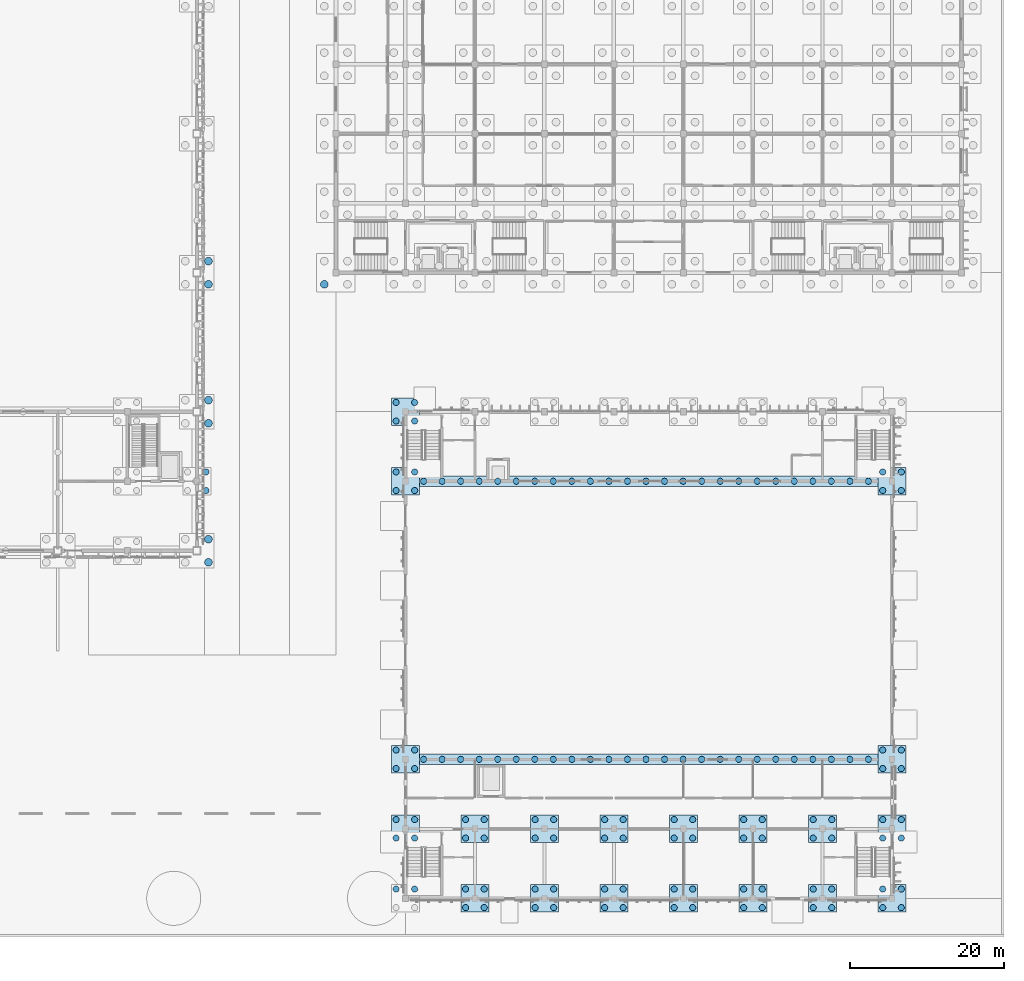
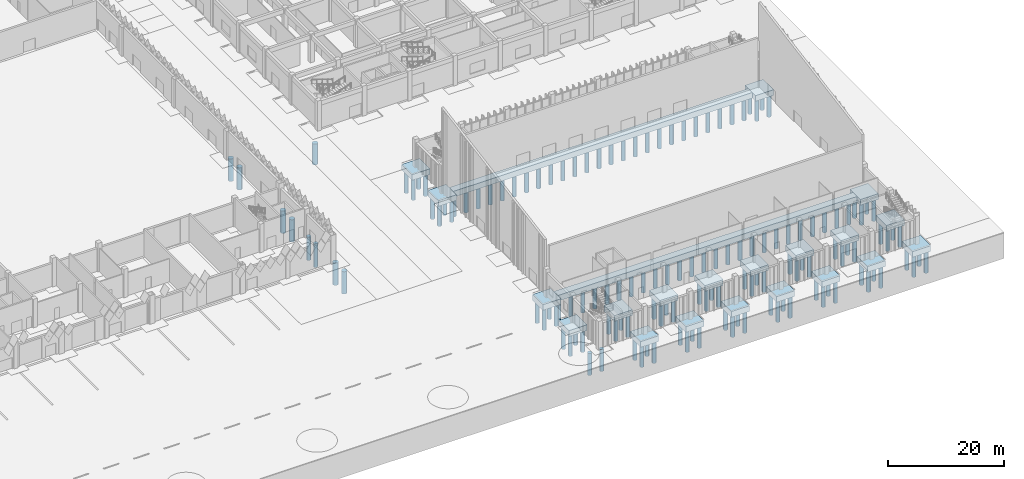
# One storey, part 13 of 198: 141 piles, 22 footings.
"""IFC4 building model written with IfcOpenShell, lengths in metres."""

from ifc_helpers import new_model, si_unit, direction, frame, origin, origin_2d, place, context, subcontext, project, spatial, polyline, circle, outline, extrude, material, layer, layer_set, material_profile, profile_set, type_object, element, save


model = new_model("IFC4")

# Units and contexts
model_context = context("Model", 3, precision=1e-05, world=origin(), true_north=direction((0.0, 1.0)))
body_context = subcontext(model_context, "Body", "Model", "MODEL_VIEW")
ifc_project = project(units=[si_unit("LENGTHUNIT", "METRE"), si_unit("AREAUNIT", "SQUARE_METRE"), si_unit("VOLUMEUNIT", "CUBIC_METRE"), si_unit("PLANEANGLEUNIT", "RADIAN"), si_unit("MASSUNIT", "GRAM", prefix="KILO")], contexts=[model_context])

# Site, building, storey
site_placement = place(None, origin())
site = spatial("IfcSite", under=ifc_project, at=site_placement, CompositionType="ELEMENT")
building_placement = place(site_placement, origin())
building = spatial("IfcBuilding", under=site, at=building_placement, Name="Opaline Strait Convention Centre", CompositionType="ELEMENT")
storey_placement = place(building_placement, origin())
storey = spatial("IfcBuildingStorey", under=building, at=storey_placement, Name="L00", CompositionType="ELEMENT", Elevation=0.0)

# Piles
ifc_material = material(Name="Concrete C35", Category="concrete")
ifc_material_profile_1 = material_profile(ifc_material, circle(Radius=0.5, at=origin_2d()), Name="D1000")
ifc_profile_set_1 = profile_set([ifc_material_profile_1], Name="Concrete C35")
pile_type_1 = type_object("IfcPileType", Name="Bored pile D1000 C35", PredefinedType="BORED", material=ifc_profile_set_1)
for number, where, z_axis, x_axis, name in (
    (1, (262.5, 52.5, -1.300048828125), (0.0, 0.0, -1.0), (1.0, 0.0, 0.0), "Bored pile of cap 261/54"),
    (2, (262.5, 55.5, -1.300048828125), (0.0, 0.0, -1.0), (1.0, 0.0, 0.0), "Bored pile of cap 261/54"),
    (3, (262.5, 70.5, -1.300048828125), (0.0, 0.0, -1.0), (1.0, 0.0, 0.0), "Bored pile of cap 261/72"),
    (4, (262.5, 73.5, -1.300048828125), (0.0, 0.0, -1.0), (1.0, 0.0, 0.0), "Bored pile of cap 261/72"),
    (5, (262.5, 88.5, -1.300048828125), (0.0, 0.0, -1.0), (1.0, 0.0, 0.0), "Bored pile of cap 261/90"),
    (6, (262.5, 91.5, -1.300048828125), (0.0, 0.0, -1.0), (1.0, 0.0, 0.0), "Bored pile of cap 261/90"),
):
    element("IfcPile", number, at=place(storey_placement, frame(where, z_axis=z_axis, x_axis=x_axis)), inside=storey, type_object=pile_type_1, Name=name, PredefinedType="BORED", context=body_context, shape_type="SweptSolid", body=[
        extrude(circle(Radius=0.5, at=origin_2d()), origin(), (0.0, 0.0, 1.0), 4.699951171875),
    ])
ifc_material_profile_2 = material_profile(ifc_material, circle(Radius=0.5, at=origin_2d()), Name="D1000")
ifc_profile_set_2 = profile_set([ifc_material_profile_2], Name="Concrete C35")
pile_type_2 = type_object("IfcPileType", Name="Bored pile D1000 L4.4 C35", PredefinedType="BORED", material=ifc_profile_set_2)
pile_placement = place(storey_placement, frame((277.5, 88.5, -1.60009765625), z_axis=(0.0, 0.0, -1.0), x_axis=(1.0, 0.0, 0.0)))
element("IfcPile", 7, at=pile_placement, inside=storey, type_object=pile_type_2, Name="MPL1 pile 1 of cap at 32/L", PredefinedType="BORED", context=body_context, shape_type="SweptSolid", body=[
    extrude(circle(Radius=0.5, at=origin_2d()), origin(), (0.0, 0.0, 1.0), 4.39990234375),
])
ifc_material_profile_3 = material_profile(ifc_material, circle(Radius=0.39990234375, at=origin_2d()), Name="D800")
ifc_profile_set_3 = profile_set([ifc_material_profile_3], Name="Concrete C35")
pile_type_3 = type_object("IfcPileType", Name="Bored pile D800 C35", PredefinedType="BORED", material=ifc_profile_set_3)
for number, where, z_axis, x_axis, name in (
    (8, (262.199951171875, 61.800048828125, -1.10009765625), (0.0, 0.0, -1.0), (1.0, 0.0, 0.0), "Bored pile of cap 261/63"),
    (9, (262.199951171875, 64.199951171875, -1.10009765625), (0.0, 0.0, -1.0), (1.0, 0.0, 0.0), "Bored pile of cap 261/63"),
):
    element("IfcPile", number, at=place(storey_placement, frame(where, z_axis=z_axis, x_axis=x_axis)), inside=storey, type_object=pile_type_3, Name=name, PredefinedType="BORED", context=body_context, shape_type="SweptSolid", body=[
        extrude(circle(Radius=0.39990234375, at=origin_2d()), origin(), (0.0, 0.0, 1.0), 4.89990234375),
    ])
ifc_material_profile_4 = material_profile(ifc_material, circle(Radius=0.39990234375, at=origin_2d()), Name="D800")
ifc_profile_set_4 = profile_set([ifc_material_profile_4], Name="Concrete C35")
pile_type_4 = type_object("IfcPileType", Name="Bored pile D800 L4.6 C35", PredefinedType="BORED", material=ifc_profile_set_4)
for number, where, z_axis, x_axis, name in (
    (10, (286.800048828125, 10.199951171875, -1.39990234375), (0.0, 0.0, -1.0), (1.0, 0.0, 0.0), "BP1 pile 3 at 33/B"),
    (11, (289.199951171875, 10.199951171875, -1.39990234375), (0.0, 0.0, -1.0), (1.0, 0.0, 0.0), "BP1 pile 4 at 33/B"),
    (12, (295.800048828125, 7.800048828125, -1.39990234375), (0.0, 0.0, -1.0), (1.0, 0.0, 0.0), "BP1 pile 1 at 34/B"),
    (13, (298.199951171875, 7.800048828125, -1.39990234375), (0.0, 0.0, -1.0), (1.0, 0.0, 0.0), "BP1 pile 2 at 34/B"),
    (14, (295.800048828125, 10.199951171875, -1.39990234375), (0.0, 0.0, -1.0), (1.0, 0.0, 0.0), "BP1 pile 3 at 34/B"),
    (15, (298.199951171875, 10.199951171875, -1.39990234375), (0.0, 0.0, -1.0), (1.0, 0.0, 0.0), "BP1 pile 4 at 34/B"),
    (16, (304.800048828125, 7.800048828125, -1.39990234375), (0.0, 0.0, -1.0), (1.0, 0.0, 0.0), "BP1 pile 1 at 35/B"),
    (17, (307.199951171875, 7.800048828125, -1.39990234375), (0.0, 0.0, -1.0), (1.0, 0.0, 0.0), "BP1 pile 2 at 35/B"),
    (18, (304.800048828125, 10.199951171875, -1.39990234375), (0.0, 0.0, -1.0), (1.0, 0.0, 0.0), "BP1 pile 3 at 35/B"),
    (19, (307.199951171875, 10.199951171875, -1.39990234375), (0.0, 0.0, -1.0), (1.0, 0.0, 0.0), "BP1 pile 4 at 35/B"),
    (20, (313.800048828125, 7.800048828125, -1.39990234375), (0.0, 0.0, -1.0), (1.0, 0.0, 0.0), "BP1 pile 1 at 36/B"),
    (21, (316.199951171875, 7.800048828125, -1.39990234375), (0.0, 0.0, -1.0), (1.0, 0.0, 0.0), "BP1 pile 2 at 36/B"),
    (22, (313.800048828125, 10.199951171875, -1.39990234375), (0.0, 0.0, -1.0), (1.0, 0.0, 0.0), "BP1 pile 3 at 36/B"),
    (23, (316.199951171875, 10.199951171875, -1.39990234375), (0.0, 0.0, -1.0), (1.0, 0.0, 0.0), "BP1 pile 4 at 36/B"),
    (24, (322.800048828125, 7.800048828125, -1.39990234375), (0.0, 0.0, -1.0), (1.0, 0.0, 0.0), "BP1 pile 1 at 37/B"),
    (25, (325.199951171875, 7.800048828125, -1.39990234375), (0.0, 0.0, -1.0), (1.0, 0.0, 0.0), "BP1 pile 2 at 37/B"),
    (26, (322.800048828125, 10.199951171875, -1.39990234375), (0.0, 0.0, -1.0), (1.0, 0.0, 0.0), "BP1 pile 3 at 37/B"),
    (27, (325.199951171875, 10.199951171875, -1.39990234375), (0.0, 0.0, -1.0), (1.0, 0.0, 0.0), "BP1 pile 4 at 37/B"),
    (28, (331.800048828125, 7.800048828125, -1.39990234375), (0.0, 0.0, -1.0), (1.0, 0.0, 0.0), "BP1 pile 1 at 38/B"),
    (29, (334.199951171875, 7.800048828125, -1.39990234375), (0.0, 0.0, -1.0), (1.0, 0.0, 0.0), "BP1 pile 2 at 38/B"),
    (30, (331.800048828125, 10.199951171875, -1.39990234375), (0.0, 0.0, -1.0), (1.0, 0.0, 0.0), "BP1 pile 3 at 38/B"),
    (31, (334.199951171875, 10.199951171875, -1.39990234375), (0.0, 0.0, -1.0), (1.0, 0.0, 0.0), "BP1 pile 4 at 38/B"),
    (32, (340.800048828125, 7.800048828125, -1.39990234375), (0.0, 0.0, -1.0), (1.0, 0.0, 0.0), "BP1 pile 1 at 39/B"),
    (33, (343.199951171875, 7.800048828125, -1.39990234375), (0.0, 0.0, -1.0), (1.0, 0.0, 0.0), "BP1 pile 2 at 39/B"),
    (34, (340.800048828125, 10.199951171875, -1.39990234375), (0.0, 0.0, -1.0), (1.0, 0.0, 0.0), "BP1 pile 3 at 39/B"),
    (35, (343.199951171875, 10.199951171875, -1.39990234375), (0.0, 0.0, -1.0), (1.0, 0.0, 0.0), "BP1 pile 4 at 39/B"),
    (36, (349.800048828125, 7.800048828125, -1.39990234375), (0.0, 0.0, -1.0), (1.0, 0.0, 0.0), "BP1 pile 1 at 40/B"),
    (37, (352.199951171875, 7.800048828125, -1.39990234375), (0.0, 0.0, -1.0), (1.0, 0.0, 0.0), "BP1 pile 2 at 40/B"),
    (38, (349.800048828125, 10.199951171875, -1.39990234375), (0.0, 0.0, -1.0), (1.0, 0.0, 0.0), "BP1 pile 3 at 40/B"),
    (39, (352.199951171875, 10.199951171875, -1.39990234375), (0.0, 0.0, -1.0), (1.0, 0.0, 0.0), "BP1 pile 4 at 40/B"),
    (40, (286.800048828125, 16.800048828125, -1.39990234375), (0.0, 0.0, -1.0), (1.0, 0.0, 0.0), "BP1 pile 1 at 33/C"),
    (41, (289.199951171875, 16.800048828125, -1.39990234375), (0.0, 0.0, -1.0), (1.0, 0.0, 0.0), "BP1 pile 2 at 33/C"),
    (42, (286.800048828125, 19.199951171875, -1.39990234375), (0.0, 0.0, -1.0), (1.0, 0.0, 0.0), "BP1 pile 3 at 33/C"),
    (43, (289.199951171875, 19.199951171875, -1.39990234375), (0.0, 0.0, -1.0), (1.0, 0.0, 0.0), "BP1 pile 4 at 33/C"),
    (44, (295.800048828125, 16.800048828125, -1.39990234375), (0.0, 0.0, -1.0), (1.0, 0.0, 0.0), "BP1 pile 1 at 34/C"),
    (45, (298.199951171875, 16.800048828125, -1.39990234375), (0.0, 0.0, -1.0), (1.0, 0.0, 0.0), "BP1 pile 2 at 34/C"),
    (46, (295.800048828125, 19.199951171875, -1.39990234375), (0.0, 0.0, -1.0), (1.0, 0.0, 0.0), "BP1 pile 3 at 34/C"),
    (47, (298.199951171875, 19.199951171875, -1.39990234375), (0.0, 0.0, -1.0), (1.0, 0.0, 0.0), "BP1 pile 4 at 34/C"),
    (48, (304.800048828125, 16.800048828125, -1.39990234375), (0.0, 0.0, -1.0), (1.0, 0.0, 0.0), "BP1 pile 1 at 35/C"),
    (49, (307.199951171875, 16.800048828125, -1.39990234375), (0.0, 0.0, -1.0), (1.0, 0.0, 0.0), "BP1 pile 2 at 35/C"),
    (50, (304.800048828125, 19.199951171875, -1.39990234375), (0.0, 0.0, -1.0), (1.0, 0.0, 0.0), "BP1 pile 3 at 35/C"),
    (51, (307.199951171875, 19.199951171875, -1.39990234375), (0.0, 0.0, -1.0), (1.0, 0.0, 0.0), "BP1 pile 4 at 35/C"),
    (52, (313.800048828125, 16.800048828125, -1.39990234375), (0.0, 0.0, -1.0), (1.0, 0.0, 0.0), "BP1 pile 1 at 36/C"),
    (53, (316.199951171875, 16.800048828125, -1.39990234375), (0.0, 0.0, -1.0), (1.0, 0.0, 0.0), "BP1 pile 2 at 36/C"),
    (54, (313.800048828125, 19.199951171875, -1.39990234375), (0.0, 0.0, -1.0), (1.0, 0.0, 0.0), "BP1 pile 3 at 36/C"),
    (55, (316.199951171875, 19.199951171875, -1.39990234375), (0.0, 0.0, -1.0), (1.0, 0.0, 0.0), "BP1 pile 4 at 36/C"),
    (56, (322.800048828125, 16.800048828125, -1.39990234375), (0.0, 0.0, -1.0), (1.0, 0.0, 0.0), "BP1 pile 1 at 37/C"),
    (57, (325.199951171875, 16.800048828125, -1.39990234375), (0.0, 0.0, -1.0), (1.0, 0.0, 0.0), "BP1 pile 2 at 37/C"),
    (58, (322.800048828125, 19.199951171875, -1.39990234375), (0.0, 0.0, -1.0), (1.0, 0.0, 0.0), "BP1 pile 3 at 37/C"),
    (59, (325.199951171875, 19.199951171875, -1.39990234375), (0.0, 0.0, -1.0), (1.0, 0.0, 0.0), "BP1 pile 4 at 37/C"),
    (60, (331.800048828125, 16.800048828125, -1.39990234375), (0.0, 0.0, -1.0), (1.0, 0.0, 0.0), "BP1 pile 1 at 38/C"),
    (61, (334.199951171875, 16.800048828125, -1.39990234375), (0.0, 0.0, -1.0), (1.0, 0.0, 0.0), "BP1 pile 2 at 38/C"),
    (62, (331.800048828125, 19.199951171875, -1.39990234375), (0.0, 0.0, -1.0), (1.0, 0.0, 0.0), "BP1 pile 3 at 38/C"),
    (63, (334.199951171875, 19.199951171875, -1.39990234375), (0.0, 0.0, -1.0), (1.0, 0.0, 0.0), "BP1 pile 4 at 38/C"),
    (64, (340.800048828125, 16.800048828125, -1.39990234375), (0.0, 0.0, -1.0), (1.0, 0.0, 0.0), "BP1 pile 1 at 39/C"),
    (65, (343.199951171875, 16.800048828125, -1.39990234375), (0.0, 0.0, -1.0), (1.0, 0.0, 0.0), "BP1 pile 2 at 39/C"),
    (66, (340.800048828125, 19.199951171875, -1.39990234375), (0.0, 0.0, -1.0), (1.0, 0.0, 0.0), "BP1 pile 3 at 39/C"),
    (67, (343.199951171875, 19.199951171875, -1.39990234375), (0.0, 0.0, -1.0), (1.0, 0.0, 0.0), "BP1 pile 4 at 39/C"),
    (68, (349.800048828125, 16.800048828125, -1.39990234375), (0.0, 0.0, -1.0), (1.0, 0.0, 0.0), "BP1 pile 1 at 40/C"),
    (69, (352.199951171875, 16.800048828125, -1.39990234375), (0.0, 0.0, -1.0), (1.0, 0.0, 0.0), "BP1 pile 2 at 40/C"),
    (70, (349.800048828125, 19.199951171875, -1.39990234375), (0.0, 0.0, -1.0), (1.0, 0.0, 0.0), "BP1 pile 3 at 40/C"),
    (71, (352.199951171875, 19.199951171875, -1.39990234375), (0.0, 0.0, -1.0), (1.0, 0.0, 0.0), "BP1 pile 4 at 40/C"),
    (72, (286.800048828125, 25.800048828125, -1.39990234375), (0.0, 0.0, -1.0), (1.0, 0.0, 0.0), "BP1 pile 1 at 33/D"),
    (73, (289.199951171875, 25.800048828125, -1.39990234375), (0.0, 0.0, -1.0), (1.0, 0.0, 0.0), "BP1 pile 2 at 33/D"),
    (74, (286.800048828125, 28.199951171875, -1.39990234375), (0.0, 0.0, -1.0), (1.0, 0.0, 0.0), "BP1 pile 3 at 33/D"),
    (75, (289.199951171875, 28.199951171875, -1.39990234375), (0.0, 0.0, -1.0), (1.0, 0.0, 0.0), "BP1 pile 4 at 33/D"),
    (76, (349.800048828125, 25.800048828125, -1.39990234375), (0.0, 0.0, -1.0), (1.0, 0.0, 0.0), "BP1 pile 1 at 40/D"),
    (77, (352.199951171875, 25.800048828125, -1.39990234375), (0.0, 0.0, -1.0), (1.0, 0.0, 0.0), "BP1 pile 2 at 40/D"),
    (78, (349.800048828125, 28.199951171875, -1.39990234375), (0.0, 0.0, -1.0), (1.0, 0.0, 0.0), "BP1 pile 3 at 40/D"),
    (79, (352.199951171875, 28.199951171875, -1.39990234375), (0.0, 0.0, -1.0), (1.0, 0.0, 0.0), "BP1 pile 4 at 40/D"),
    (80, (286.800048828125, 61.800048828125, -1.39990234375), (0.0, 0.0, -1.0), (1.0, 0.0, 0.0), "BP1 pile 1 at 33/H"),
    (81, (289.199951171875, 61.800048828125, -1.39990234375), (0.0, 0.0, -1.0), (1.0, 0.0, 0.0), "BP1 pile 2 at 33/H"),
    (82, (286.800048828125, 64.199951171875, -1.39990234375), (0.0, 0.0, -1.0), (1.0, 0.0, 0.0), "BP1 pile 3 at 33/H"),
    (83, (289.199951171875, 64.199951171875, -1.39990234375), (0.0, 0.0, -1.0), (1.0, 0.0, 0.0), "BP1 pile 4 at 33/H"),
    (84, (349.800048828125, 61.800048828125, -1.39990234375), (0.0, 0.0, -1.0), (1.0, 0.0, 0.0), "BP1 pile 1 at 40/H"),
    (85, (352.199951171875, 61.800048828125, -1.39990234375), (0.0, 0.0, -1.0), (1.0, 0.0, 0.0), "BP1 pile 2 at 40/H"),
    (86, (349.800048828125, 64.199951171875, -1.39990234375), (0.0, 0.0, -1.0), (1.0, 0.0, 0.0), "BP1 pile 3 at 40/H"),
    (87, (352.199951171875, 64.199951171875, -1.39990234375), (0.0, 0.0, -1.0), (1.0, 0.0, 0.0), "BP1 pile 4 at 40/H"),
    (88, (286.800048828125, 70.800048828125, -1.39990234375), (0.0, 0.0, -1.0), (1.0, 0.0, 0.0), "BP1 pile 1 at 33/J"),
    (89, (289.199951171875, 70.800048828125, -1.39990234375), (0.0, 0.0, -1.0), (1.0, 0.0, 0.0), "BP1 pile 2 at 33/J"),
    (90, (286.800048828125, 73.199951171875, -1.39990234375), (0.0, 0.0, -1.0), (1.0, 0.0, 0.0), "BP1 pile 3 at 33/J"),
    (91, (289.199951171875, 73.199951171875, -1.39990234375), (0.0, 0.0, -1.0), (1.0, 0.0, 0.0), "BP1 pile 4 at 33/J"),
    (92, (290.35009765625, 27.0, -1.39990234375), (0.0, 0.0, -1.0), (1.0, 0.0, 0.0), "BP1 pile 1 under hall wall 33/D-40/D"),
    (93, (292.75, 27.0, -1.39990234375), (0.0, 0.0, -1.0), (1.0, 0.0, 0.0), "BP1 pile 2 under hall wall 33/D-40/D"),
    (94, (295.14990234375, 27.0, -1.39990234375), (0.0, 0.0, -1.0), (1.0, 0.0, 0.0), "BP1 pile 3 under hall wall 33/D-40/D"),
    (95, (297.550048828125, 27.0, -1.39990234375), (0.0, 0.0, -1.0), (1.0, 0.0, 0.0), "BP1 pile 4 under hall wall 33/D-40/D"),
    (96, (299.949951171875, 27.0, -1.39990234375), (0.0, 0.0, -1.0), (1.0, 0.0, 0.0), "BP1 pile 5 under hall wall 33/D-40/D"),
    (97, (302.35009765625, 27.0, -1.39990234375), (0.0, 0.0, -1.0), (1.0, 0.0, 0.0), "BP1 pile 6 under hall wall 33/D-40/D"),
    (98, (304.75, 27.0, -1.39990234375), (0.0, 0.0, -1.0), (1.0, 0.0, 0.0), "BP1 pile 7 under hall wall 33/D-40/D"),
    (99, (307.14990234375, 27.0, -1.39990234375), (0.0, 0.0, -1.0), (1.0, 0.0, 0.0), "BP1 pile 8 under hall wall 33/D-40/D"),
    (100, (309.550048828125, 27.0, -1.39990234375), (0.0, 0.0, -1.0), (1.0, 0.0, 0.0), "BP1 pile 9 under hall wall 33/D-40/D"),
    (101, (311.949951171875, 27.0, -1.39990234375), (0.0, 0.0, -1.0), (1.0, 0.0, 0.0), "BP1 pile 10 under hall wall 33/D-40/D"),
    (102, (314.35009765625, 27.0, -1.39990234375), (0.0, 0.0, -1.0), (1.0, 0.0, 0.0), "BP1 pile 11 under hall wall 33/D-40/D"),
    (103, (316.75, 27.0, -1.39990234375), (0.0, 0.0, -1.0), (1.0, 0.0, 0.0), "BP1 pile 12 under hall wall 33/D-40/D"),
    (104, (319.14990234375, 27.0, -1.39990234375), (0.0, 0.0, -1.0), (1.0, 0.0, 0.0), "BP1 pile 13 under hall wall 33/D-40/D"),
    (105, (321.550048828125, 27.0, -1.39990234375), (0.0, 0.0, -1.0), (1.0, 0.0, 0.0), "BP1 pile 14 under hall wall 33/D-40/D"),
    (106, (323.949951171875, 27.0, -1.39990234375), (0.0, 0.0, -1.0), (1.0, 0.0, 0.0), "BP1 pile 15 under hall wall 33/D-40/D"),
    (107, (326.35009765625, 27.0, -1.39990234375), (0.0, 0.0, -1.0), (1.0, 0.0, 0.0), "BP1 pile 16 under hall wall 33/D-40/D"),
    (108, (328.75, 27.0, -1.39990234375), (0.0, 0.0, -1.0), (1.0, 0.0, 0.0), "BP1 pile 17 under hall wall 33/D-40/D"),
    (109, (331.14990234375, 27.0, -1.39990234375), (0.0, 0.0, -1.0), (1.0, 0.0, 0.0), "BP1 pile 18 under hall wall 33/D-40/D"),
    (110, (333.550048828125, 27.0, -1.39990234375), (0.0, 0.0, -1.0), (1.0, 0.0, 0.0), "BP1 pile 19 under hall wall 33/D-40/D"),
    (111, (335.949951171875, 27.0, -1.39990234375), (0.0, 0.0, -1.0), (1.0, 0.0, 0.0), "BP1 pile 20 under hall wall 33/D-40/D"),
    (112, (338.35009765625, 27.0, -1.39990234375), (0.0, 0.0, -1.0), (1.0, 0.0, 0.0), "BP1 pile 21 under hall wall 33/D-40/D"),
    (113, (340.75, 27.0, -1.39990234375), (0.0, 0.0, -1.0), (1.0, 0.0, 0.0), "BP1 pile 22 under hall wall 33/D-40/D"),
    (114, (343.14990234375, 27.0, -1.39990234375), (0.0, 0.0, -1.0), (1.0, 0.0, 0.0), "BP1 pile 23 under hall wall 33/D-40/D"),
    (115, (345.550048828125, 27.0, -1.39990234375), (0.0, 0.0, -1.0), (1.0, 0.0, 0.0), "BP1 pile 24 under hall wall 33/D-40/D"),
    (116, (347.949951171875, 27.0, -1.39990234375), (0.0, 0.0, -1.0), (1.0, 0.0, 0.0), "BP1 pile 25 under hall wall 33/D-40/D"),
    (117, (290.35009765625, 63.0, -1.39990234375), (0.0, 0.0, -1.0), (1.0, 0.0, 0.0), "BP1 pile 1 under hall wall 33/H-40/H"),
    (118, (292.75, 63.0, -1.39990234375), (0.0, 0.0, -1.0), (1.0, 0.0, 0.0), "BP1 pile 2 under hall wall 33/H-40/H"),
    (119, (295.14990234375, 63.0, -1.39990234375), (0.0, 0.0, -1.0), (1.0, 0.0, 0.0), "BP1 pile 3 under hall wall 33/H-40/H"),
    (120, (297.550048828125, 63.0, -1.39990234375), (0.0, 0.0, -1.0), (1.0, 0.0, 0.0), "BP1 pile 4 under hall wall 33/H-40/H"),
    (121, (299.949951171875, 63.0, -1.39990234375), (0.0, 0.0, -1.0), (1.0, 0.0, 0.0), "BP1 pile 5 under hall wall 33/H-40/H"),
    (122, (302.35009765625, 63.0, -1.39990234375), (0.0, 0.0, -1.0), (1.0, 0.0, 0.0), "BP1 pile 6 under hall wall 33/H-40/H"),
    (123, (304.75, 63.0, -1.39990234375), (0.0, 0.0, -1.0), (1.0, 0.0, 0.0), "BP1 pile 7 under hall wall 33/H-40/H"),
    (124, (307.14990234375, 63.0, -1.39990234375), (0.0, 0.0, -1.0), (1.0, 0.0, 0.0), "BP1 pile 8 under hall wall 33/H-40/H"),
    (125, (309.550048828125, 63.0, -1.39990234375), (0.0, 0.0, -1.0), (1.0, 0.0, 0.0), "BP1 pile 9 under hall wall 33/H-40/H"),
    (126, (311.949951171875, 63.0, -1.39990234375), (0.0, 0.0, -1.0), (1.0, 0.0, 0.0), "BP1 pile 10 under hall wall 33/H-40/H"),
    (127, (314.35009765625, 63.0, -1.39990234375), (0.0, 0.0, -1.0), (1.0, 0.0, 0.0), "BP1 pile 11 under hall wall 33/H-40/H"),
    (128, (316.75, 63.0, -1.39990234375), (0.0, 0.0, -1.0), (1.0, 0.0, 0.0), "BP1 pile 12 under hall wall 33/H-40/H"),
    (129, (319.14990234375, 63.0, -1.39990234375), (0.0, 0.0, -1.0), (1.0, 0.0, 0.0), "BP1 pile 13 under hall wall 33/H-40/H"),
    (130, (321.550048828125, 63.0, -1.39990234375), (0.0, 0.0, -1.0), (1.0, 0.0, 0.0), "BP1 pile 14 under hall wall 33/H-40/H"),
    (131, (323.949951171875, 63.0, -1.39990234375), (0.0, 0.0, -1.0), (1.0, 0.0, 0.0), "BP1 pile 15 under hall wall 33/H-40/H"),
    (132, (326.35009765625, 63.0, -1.39990234375), (0.0, 0.0, -1.0), (1.0, 0.0, 0.0), "BP1 pile 16 under hall wall 33/H-40/H"),
    (133, (328.75, 63.0, -1.39990234375), (0.0, 0.0, -1.0), (1.0, 0.0, 0.0), "BP1 pile 17 under hall wall 33/H-40/H"),
    (134, (331.14990234375, 63.0, -1.39990234375), (0.0, 0.0, -1.0), (1.0, 0.0, 0.0), "BP1 pile 18 under hall wall 33/H-40/H"),
    (135, (333.550048828125, 63.0, -1.39990234375), (0.0, 0.0, -1.0), (1.0, 0.0, 0.0), "BP1 pile 19 under hall wall 33/H-40/H"),
    (136, (335.949951171875, 63.0, -1.39990234375), (0.0, 0.0, -1.0), (1.0, 0.0, 0.0), "BP1 pile 20 under hall wall 33/H-40/H"),
    (137, (338.35009765625, 63.0, -1.39990234375), (0.0, 0.0, -1.0), (1.0, 0.0, 0.0), "BP1 pile 21 under hall wall 33/H-40/H"),
    (138, (340.75, 63.0, -1.39990234375), (0.0, 0.0, -1.0), (1.0, 0.0, 0.0), "BP1 pile 22 under hall wall 33/H-40/H"),
    (139, (343.14990234375, 63.0, -1.39990234375), (0.0, 0.0, -1.0), (1.0, 0.0, 0.0), "BP1 pile 23 under hall wall 33/H-40/H"),
    (140, (345.550048828125, 63.0, -1.39990234375), (0.0, 0.0, -1.0), (1.0, 0.0, 0.0), "BP1 pile 24 under hall wall 33/H-40/H"),
    (141, (347.949951171875, 63.0, -1.39990234375), (0.0, 0.0, -1.0), (1.0, 0.0, 0.0), "BP1 pile 25 under hall wall 33/H-40/H"),
):
    element("IfcPile", number, at=place(storey_placement, frame(where, z_axis=z_axis, x_axis=x_axis)), inside=storey, type_object=pile_type_4, Name=name, PredefinedType="BORED", context=body_context, shape_type="SweptSolid", body=[
        extrude(circle(Radius=0.39990234375, at=origin_2d()), origin(), (0.0, 0.0, 1.0), 4.60009765625),
    ])

# Footings
ifc_layer_1 = layer(ifc_material, 1.199951171875)
ifc_layer_set_1 = layer_set([ifc_layer_1], Name="Concrete C35")
footing_type_1 = type_object("IfcFootingType", Name="Pile cap 2x2 piles D800 3600x3600x1200 C35", PredefinedType="PILE_CAP", material=ifc_layer_set_1)
footing_1_placement = place(storey_placement, frame((0.0, 0.0, -1.5)))
element("IfcFooting", 142, at=footing_1_placement, inside=storey, type_object=footing_type_1, Name="BF1 pile cap at 34/B", PredefinedType="PILE_CAP", context=body_context, shape_type="SweptSolid", body=[
    extrude(outline(polyline([(295.199951171875, 7.199951171875), (298.800048828125, 7.199951171875), (298.800048828125, 10.800048828125), (295.199951171875, 10.800048828125), (295.199951171875, 7.199951171875)])), origin(), (0.0, 0.0, 1.0), 1.199951171875),
])
footing_2_placement = place(storey_placement, frame((0.0, 0.0, -1.5)))
element("IfcFooting", 143, at=footing_2_placement, inside=storey, type_object=footing_type_1, Name="BF1 pile cap at 35/B", PredefinedType="PILE_CAP", context=body_context, shape_type="SweptSolid", body=[
    extrude(outline(polyline([(304.199951171875, 7.199951171875), (307.800048828125, 7.199951171875), (307.800048828125, 10.800048828125), (304.199951171875, 10.800048828125), (304.199951171875, 7.199951171875)])), origin(), (0.0, 0.0, 1.0), 1.199951171875),
])
footing_3_placement = place(storey_placement, frame((0.0, 0.0, -1.5)))
element("IfcFooting", 144, at=footing_3_placement, inside=storey, type_object=footing_type_1, Name="BF1 pile cap at 36/B", PredefinedType="PILE_CAP", context=body_context, shape_type="SweptSolid", body=[
    extrude(outline(polyline([(313.199951171875, 7.199951171875), (316.800048828125, 7.199951171875), (316.800048828125, 10.800048828125), (313.199951171875, 10.800048828125), (313.199951171875, 7.199951171875)])), origin(), (0.0, 0.0, 1.0), 1.199951171875),
])
footing_4_placement = place(storey_placement, frame((0.0, 0.0, -1.5)))
element("IfcFooting", 145, at=footing_4_placement, inside=storey, type_object=footing_type_1, Name="BF1 pile cap at 37/B", PredefinedType="PILE_CAP", context=body_context, shape_type="SweptSolid", body=[
    extrude(outline(polyline([(322.199951171875, 7.199951171875), (325.800048828125, 7.199951171875), (325.800048828125, 10.800048828125), (322.199951171875, 10.800048828125), (322.199951171875, 7.199951171875)])), origin(), (0.0, 0.0, 1.0), 1.199951171875),
])
footing_5_placement = place(storey_placement, frame((0.0, 0.0, -1.5)))
element("IfcFooting", 146, at=footing_5_placement, inside=storey, type_object=footing_type_1, Name="BF1 pile cap at 38/B", PredefinedType="PILE_CAP", context=body_context, shape_type="SweptSolid", body=[
    extrude(outline(polyline([(331.199951171875, 7.199951171875), (334.800048828125, 7.199951171875), (334.800048828125, 10.800048828125), (331.199951171875, 10.800048828125), (331.199951171875, 7.199951171875)])), origin(), (0.0, 0.0, 1.0), 1.199951171875),
])
footing_6_placement = place(storey_placement, frame((0.0, 0.0, -1.5)))
element("IfcFooting", 147, at=footing_6_placement, inside=storey, type_object=footing_type_1, Name="BF1 pile cap at 39/B", PredefinedType="PILE_CAP", context=body_context, shape_type="SweptSolid", body=[
    extrude(outline(polyline([(340.199951171875, 7.199951171875), (343.800048828125, 7.199951171875), (343.800048828125, 10.800048828125), (340.199951171875, 10.800048828125), (340.199951171875, 7.199951171875)])), origin(), (0.0, 0.0, 1.0), 1.199951171875),
])
footing_7_placement = place(storey_placement, frame((0.0, 0.0, -1.5)))
element("IfcFooting", 148, at=footing_7_placement, inside=storey, type_object=footing_type_1, Name="BF1 pile cap at 40/B", PredefinedType="PILE_CAP", context=body_context, shape_type="SweptSolid", body=[
    extrude(outline(polyline([(349.199951171875, 7.199951171875), (352.800048828125, 7.199951171875), (352.800048828125, 10.800048828125), (349.199951171875, 10.800048828125), (349.199951171875, 7.199951171875)])), origin(), (0.0, 0.0, 1.0), 1.199951171875),
])
footing_8_placement = place(storey_placement, frame((0.0, 0.0, -1.5)))
element("IfcFooting", 149, at=footing_8_placement, inside=storey, type_object=footing_type_1, Name="BF1 pile cap at 33/C", PredefinedType="PILE_CAP", context=body_context, shape_type="SweptSolid", body=[
    extrude(outline(polyline([(286.199951171875, 16.199951171875), (289.800048828125, 16.199951171875), (289.800048828125, 19.800048828125), (286.199951171875, 19.800048828125), (286.199951171875, 16.199951171875)])), origin(), (0.0, 0.0, 1.0), 1.199951171875),
])
footing_9_placement = place(storey_placement, frame((0.0, 0.0, -1.5)))
element("IfcFooting", 150, at=footing_9_placement, inside=storey, type_object=footing_type_1, Name="BF1 pile cap at 34/C", PredefinedType="PILE_CAP", context=body_context, shape_type="SweptSolid", body=[
    extrude(outline(polyline([(295.199951171875, 16.199951171875), (298.800048828125, 16.199951171875), (298.800048828125, 19.800048828125), (295.199951171875, 19.800048828125), (295.199951171875, 16.199951171875)])), origin(), (0.0, 0.0, 1.0), 1.199951171875),
])
footing_10_placement = place(storey_placement, frame((0.0, 0.0, -1.5)))
element("IfcFooting", 151, at=footing_10_placement, inside=storey, type_object=footing_type_1, Name="BF1 pile cap at 35/C", PredefinedType="PILE_CAP", context=body_context, shape_type="SweptSolid", body=[
    extrude(outline(polyline([(304.199951171875, 16.199951171875), (307.800048828125, 16.199951171875), (307.800048828125, 19.800048828125), (304.199951171875, 19.800048828125), (304.199951171875, 16.199951171875)])), origin(), (0.0, 0.0, 1.0), 1.199951171875),
])
footing_11_placement = place(storey_placement, frame((0.0, 0.0, -1.5)))
element("IfcFooting", 152, at=footing_11_placement, inside=storey, type_object=footing_type_1, Name="BF1 pile cap at 36/C", PredefinedType="PILE_CAP", context=body_context, shape_type="SweptSolid", body=[
    extrude(outline(polyline([(313.199951171875, 16.199951171875), (316.800048828125, 16.199951171875), (316.800048828125, 19.800048828125), (313.199951171875, 19.800048828125), (313.199951171875, 16.199951171875)])), origin(), (0.0, 0.0, 1.0), 1.199951171875),
])
footing_12_placement = place(storey_placement, frame((0.0, 0.0, -1.5)))
element("IfcFooting", 153, at=footing_12_placement, inside=storey, type_object=footing_type_1, Name="BF1 pile cap at 37/C", PredefinedType="PILE_CAP", context=body_context, shape_type="SweptSolid", body=[
    extrude(outline(polyline([(322.199951171875, 16.199951171875), (325.800048828125, 16.199951171875), (325.800048828125, 19.800048828125), (322.199951171875, 19.800048828125), (322.199951171875, 16.199951171875)])), origin(), (0.0, 0.0, 1.0), 1.199951171875),
])
footing_13_placement = place(storey_placement, frame((0.0, 0.0, -1.5)))
element("IfcFooting", 154, at=footing_13_placement, inside=storey, type_object=footing_type_1, Name="BF1 pile cap at 38/C", PredefinedType="PILE_CAP", context=body_context, shape_type="SweptSolid", body=[
    extrude(outline(polyline([(331.199951171875, 16.199951171875), (334.800048828125, 16.199951171875), (334.800048828125, 19.800048828125), (331.199951171875, 19.800048828125), (331.199951171875, 16.199951171875)])), origin(), (0.0, 0.0, 1.0), 1.199951171875),
])
footing_14_placement = place(storey_placement, frame((0.0, 0.0, -1.5)))
element("IfcFooting", 155, at=footing_14_placement, inside=storey, type_object=footing_type_1, Name="BF1 pile cap at 39/C", PredefinedType="PILE_CAP", context=body_context, shape_type="SweptSolid", body=[
    extrude(outline(polyline([(340.199951171875, 16.199951171875), (343.800048828125, 16.199951171875), (343.800048828125, 19.800048828125), (340.199951171875, 19.800048828125), (340.199951171875, 16.199951171875)])), origin(), (0.0, 0.0, 1.0), 1.199951171875),
])
footing_15_placement = place(storey_placement, frame((0.0, 0.0, -1.5)))
element("IfcFooting", 156, at=footing_15_placement, inside=storey, type_object=footing_type_1, Name="BF1 pile cap at 40/C", PredefinedType="PILE_CAP", context=body_context, shape_type="SweptSolid", body=[
    extrude(outline(polyline([(349.199951171875, 16.199951171875), (352.800048828125, 16.199951171875), (352.800048828125, 19.800048828125), (349.199951171875, 19.800048828125), (349.199951171875, 16.199951171875)])), origin(), (0.0, 0.0, 1.0), 1.199951171875),
])
footing_16_placement = place(storey_placement, frame((0.0, 0.0, -1.5)))
element("IfcFooting", 157, at=footing_16_placement, inside=storey, type_object=footing_type_1, Name="BF1 pile cap at 33/D", PredefinedType="PILE_CAP", context=body_context, shape_type="SweptSolid", body=[
    extrude(outline(polyline([(286.199951171875, 25.199951171875), (289.800048828125, 25.199951171875), (289.800048828125, 28.800048828125), (286.199951171875, 28.800048828125), (286.199951171875, 25.199951171875)])), origin(), (0.0, 0.0, 1.0), 1.199951171875),
])
footing_17_placement = place(storey_placement, frame((0.0, 0.0, -1.5)))
element("IfcFooting", 158, at=footing_17_placement, inside=storey, type_object=footing_type_1, Name="BF1 pile cap at 40/D", PredefinedType="PILE_CAP", context=body_context, shape_type="SweptSolid", body=[
    extrude(outline(polyline([(349.199951171875, 25.199951171875), (352.800048828125, 25.199951171875), (352.800048828125, 28.800048828125), (349.199951171875, 28.800048828125), (349.199951171875, 25.199951171875)])), origin(), (0.0, 0.0, 1.0), 1.199951171875),
])
footing_18_placement = place(storey_placement, frame((0.0, 0.0, -1.5)))
element("IfcFooting", 159, at=footing_18_placement, inside=storey, type_object=footing_type_1, Name="BF1 pile cap at 33/H", PredefinedType="PILE_CAP", context=body_context, shape_type="SweptSolid", body=[
    extrude(outline(polyline([(286.199951171875, 61.199951171875), (289.800048828125, 61.199951171875), (289.800048828125, 64.800048828125), (286.199951171875, 64.800048828125), (286.199951171875, 61.199951171875)])), origin(), (0.0, 0.0, 1.0), 1.199951171875),
])
footing_19_placement = place(storey_placement, frame((0.0, 0.0, -1.5)))
element("IfcFooting", 160, at=footing_19_placement, inside=storey, type_object=footing_type_1, Name="BF1 pile cap at 40/H", PredefinedType="PILE_CAP", context=body_context, shape_type="SweptSolid", body=[
    extrude(outline(polyline([(349.199951171875, 61.199951171875), (352.800048828125, 61.199951171875), (352.800048828125, 64.800048828125), (349.199951171875, 64.800048828125), (349.199951171875, 61.199951171875)])), origin(), (0.0, 0.0, 1.0), 1.199951171875),
])
footing_20_placement = place(storey_placement, frame((0.0, 0.0, -1.5)))
element("IfcFooting", 161, at=footing_20_placement, inside=storey, type_object=footing_type_1, Name="BF1 pile cap at 33/J", PredefinedType="PILE_CAP", context=body_context, shape_type="SweptSolid", body=[
    extrude(outline(polyline([(286.199951171875, 70.199951171875), (289.800048828125, 70.199951171875), (289.800048828125, 73.800048828125), (286.199951171875, 73.800048828125), (286.199951171875, 70.199951171875)])), origin(), (0.0, 0.0, 1.0), 1.199951171875),
])
ifc_layer_2 = layer(ifc_material, 1.199951171875)
ifc_layer_set_2 = layer_set([ifc_layer_2], Name="Concrete C35")
footing_type_2 = type_object("IfcFootingType", Name="Pile cap strip 1400x1200 C35", PredefinedType="PILE_CAP", material=ifc_layer_set_2)
footing_21_placement = place(storey_placement, frame((0.0, 0.0, -1.5)))
element("IfcFooting", 162, at=footing_21_placement, inside=storey, type_object=footing_type_2, Name="BF2 elongated pile cap under hall wall 33/D-40/D", PredefinedType="PILE_CAP", context=body_context, shape_type="SweptSolid", body=[
    extrude(outline(polyline([(289.800048828125, 26.300048828125), (349.199951171875, 26.300048828125), (349.199951171875, 27.699951171875), (289.800048828125, 27.699951171875), (289.800048828125, 26.300048828125)])), origin(), (0.0, 0.0, 1.0), 1.199951171875),
])
footing_22_placement = place(storey_placement, frame((0.0, 0.0, -1.5)))
element("IfcFooting", 163, at=footing_22_placement, inside=storey, type_object=footing_type_2, Name="BF2 elongated pile cap under hall wall 33/H-40/H", PredefinedType="PILE_CAP", context=body_context, shape_type="SweptSolid", body=[
    extrude(outline(polyline([(289.800048828125, 62.300048828125), (349.199951171875, 62.300048828125), (349.199951171875, 63.699951171875), (289.800048828125, 63.699951171875), (289.800048828125, 62.300048828125)])), origin(), (0.0, 0.0, 1.0), 1.199951171875),
])

save(model, "model.ifc")
